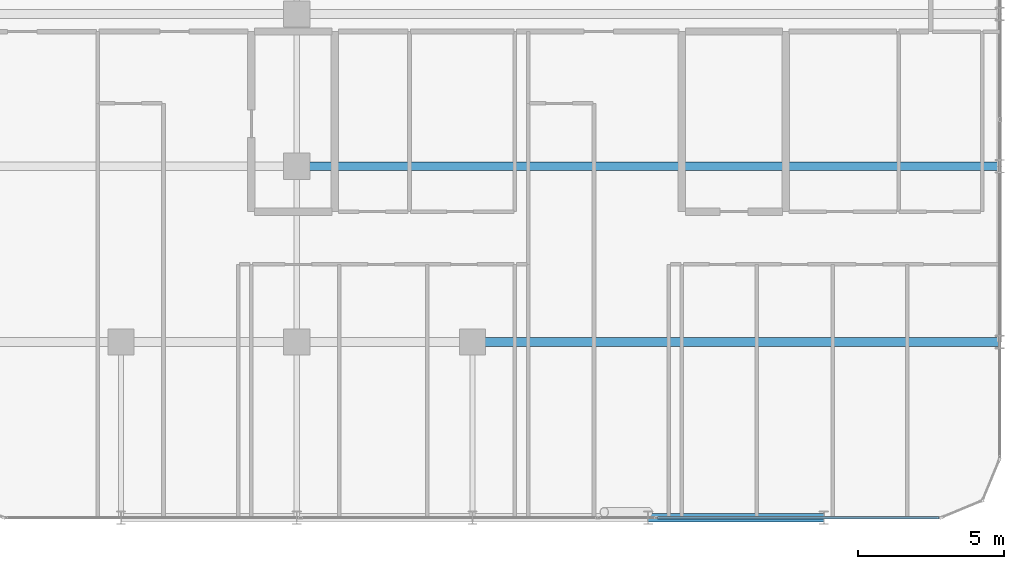
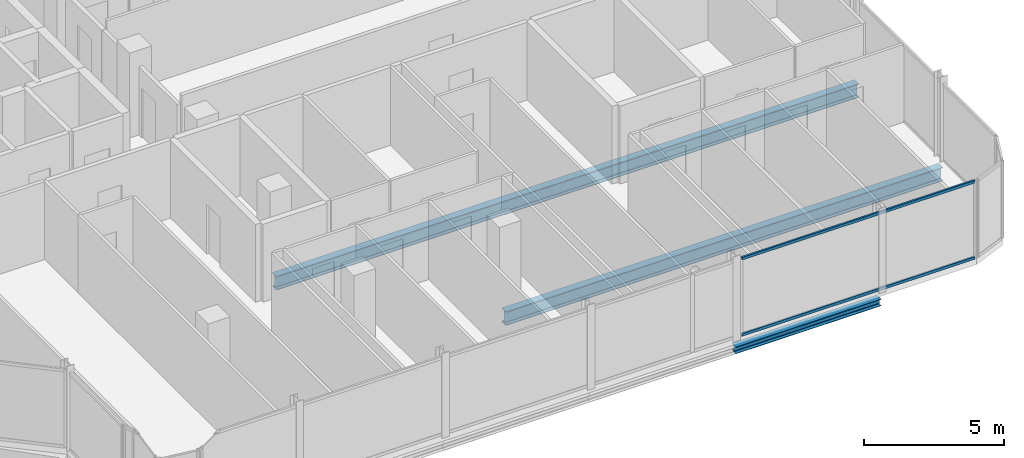
# One storey, part 11 of 29: 3 beams, 2 members, 1 element without a shape of its own.
"""IFC4 building model written with IfcOpenShell, lengths in metres."""

import ifcopenshell
import ifcopenshell.guid

model = None  # the IFC model being written
_history = None  # IfcOwnerHistory: only IFC2X3 demands one
_inside = {}  # id of a spatial element -> (the spatial element, [elements in it])
_under = {}  # id of a project, library or spatial element -> (it, [spatial elements below it])
_declared = {}  # id of a project -> (the project, [libraries it declares])
_typed = {}  # id of a type object -> (the type object, [elements of that type])
_made_of = {}  # id of a material, layer set ... -> (it, [elements and type objects made of it])


def new_model(schema):
    """Start an empty IFC model of exactly this schema.

    Asked for "IFC4X3", IfcOpenShell would pick the latest addendum, in which some entities
    have other attributes; the version numbers below select the first issue.
    IFC2X3 requires an IfcOwnerHistory on every rooted entity: one is made here for all.
    """
    global model, _history
    if schema == "IFC4X3":
        model = ifcopenshell.file(schema_version=(4, 3, 0, 0))
    else:
        model = ifcopenshell.file(schema=schema)
    _inside.clear()
    _under.clear()
    _declared.clear()
    _typed.clear()
    _made_of.clear()
    _history = None
    if model.schema == "IFC2X3":
        org = make("IfcOrganization", Name="unknown")
        user = make(
            "IfcPersonAndOrganization",
            ThePerson=make("IfcPerson", FamilyName="unknown"),
            TheOrganization=org,
        )
        app = make(
            "IfcApplication",
            ApplicationDeveloper=org,
            Version="unknown",
            ApplicationFullName="unknown",
            ApplicationIdentifier="unknown",
        )
        _history = make(
            "IfcOwnerHistory",
            OwningUser=user,
            OwningApplication=app,
            ChangeAction="ADDED",
            CreationDate=0,
        )
    return model


def make(cls, **values):
    """One entity of the class cls with the attributes given. An attribute that is None is left unset."""
    return model.create_entity(
        cls, **{name: value for name, value in values.items() if value is not None}
    )


def rooted(cls, **values):
    """An entity with a GlobalId (a new one), such as an element, a storey or a relation."""
    return make(cls, GlobalId=ifcopenshell.guid.new(), OwnerHistory=_history, **values)


def si_unit(unit_type, name, prefix=None):
    """IfcSIUnit, for example si_unit("LENGTHUNIT", "METRE", prefix="MILLI")."""
    return make("IfcSIUnit", UnitType=unit_type, Prefix=prefix, Name=name)


def assignment(units):
    """IfcUnitAssignment: the units of a project."""
    return None if units is None else make("IfcUnitAssignment", Units=units)


def point(xyz):
    """IfcCartesianPoint."""
    return None if xyz is None else make("IfcCartesianPoint", Coordinates=xyz)


def direction(xyz):
    """IfcDirection."""
    return None if xyz is None else make("IfcDirection", DirectionRatios=xyz)


def frame(location, z_axis=None, x_axis=None):
    """IfcAxis2Placement3D, a coordinate frame: its origin and axes. An axis left out is left unset."""
    return make(
        "IfcAxis2Placement3D",
        Location=point(location),
        Axis=direction(z_axis),
        RefDirection=direction(x_axis),
    )


def frame_2d(location, x_axis=None):
    """IfcAxis2Placement2D, a coordinate frame in the plane: its origin and x axis."""
    return make(
        "IfcAxis2Placement2D", Location=point(location), RefDirection=direction(x_axis)
    )


def origin():
    """The frame at (0, 0, 0) with its axes left unset."""
    return frame((0.0, 0.0, 0.0))


def origin_2d():
    """The frame at (0, 0) in the plane with its x axis left unset."""
    return frame_2d((0.0, 0.0))


def place(relative_to, where):
    """IfcLocalPlacement: puts the frame where relative to a parent placement (None: the world)."""
    return make(
        "IfcLocalPlacement", PlacementRelTo=relative_to, RelativePlacement=where
    )


def context(
    kind, dimensions, precision=None, world=None, true_north=None, identifier=None
):
    """IfcGeometricRepresentationContext, for example the 3D "Model" context."""
    return make(
        "IfcGeometricRepresentationContext",
        ContextIdentifier=identifier,
        ContextType=kind,
        CoordinateSpaceDimension=dimensions,
        Precision=precision,
        WorldCoordinateSystem=world,
        TrueNorth=true_north,
    )


def subcontext(parent, identifier, kind, view, scale=None):
    """IfcGeometricRepresentationSubContext, for example "Body" below "Model"."""
    return make(
        "IfcGeometricRepresentationSubContext",
        ContextIdentifier=identifier,
        ContextType=kind,
        ParentContext=parent,
        TargetScale=scale,
        TargetView=view,
    )


def project(units=None, contexts=None):
    """IfcProject with its units and contexts."""
    return rooted(
        "IfcProject",
        Name="project",
        RepresentationContexts=contexts,
        UnitsInContext=assignment(units),
    )


def spatial(cls, under=None, at=None, **own):
    """A site, building, storey or space (cls), placed at a placement, below another one or the project."""
    s = rooted(cls, ObjectPlacement=at, **own)
    if under is not None:
        _under.setdefault(under.id(), (under, []))[1].append(s)
    return s


def profile(cls, at=None, kind="AREA", **sizes):
    """A parametric profile (cls). Its sizes go by their IFC names, for example OverallWidth=200.0."""
    return make(cls, ProfileType=kind, Position=at, **sizes)


def hollow_rectangle(**sizes):
    """IfcRectangleHollowProfileDef."""
    return profile("IfcRectangleHollowProfileDef", **sizes)


def i_section(**sizes):
    """IfcIShapeProfileDef."""
    return profile("IfcIShapeProfileDef", **sizes)


def extrude(swept, where, along, depth):
    """IfcExtrudedAreaSolid: the profile swept, set in the frame where, extruded along a direction by depth."""
    return make(
        "IfcExtrudedAreaSolid",
        SweptArea=swept,
        Position=where,
        ExtrudedDirection=direction(along),
        Depth=depth,
    )


def shape(context_of_items, identifier, shape_type, items):
    """IfcShapeRepresentation: the items that make up one representation, for example the "Body"."""
    return make(
        "IfcShapeRepresentation",
        ContextOfItems=context_of_items,
        RepresentationIdentifier=identifier,
        RepresentationType=shape_type,
        Items=items,
    )


def material(Name=None, Category=None):
    """IfcMaterial."""
    return make("IfcMaterial", Name=Name, Category=Category)


def layer(
    of_material, thickness, ventilated=None, Name=None, Category=None, Priority=None
):
    """IfcMaterialLayer: one layer of a wall or slab, of a material (None: an air gap)."""
    return make(
        "IfcMaterialLayer",
        Material=of_material,
        LayerThickness=thickness,
        IsVentilated=ventilated,
        Name=Name,
        Category=Category,
        Priority=Priority,
    )


def layer_set(layers, Name=None):
    """IfcMaterialLayerSet."""
    return make("IfcMaterialLayerSet", MaterialLayers=layers, LayerSetName=Name)


def material_profile(
    of_material, cross_section, Name=None, Category=None, Priority=None
):
    """IfcMaterialProfile: a cross section and its material."""
    return make(
        "IfcMaterialProfile",
        Name=Name,
        Material=of_material,
        Profile=cross_section,
        Priority=Priority,
        Category=Category,
    )


def profile_set(profiles, Name=None, composite=None):
    """IfcMaterialProfileSet."""
    return make(
        "IfcMaterialProfileSet",
        Name=Name,
        MaterialProfiles=profiles,
        CompositeProfile=composite,
    )


def made_of(thing, what):
    """Note that an element or type object is made of a material, layer set ...; save() writes the relation."""
    if what is not None:
        _made_of.setdefault(what.id(), (what, []))[1].append(thing)
    return thing


def type_object(cls, material=None, **own):
    """A type object (cls), such as IfcWallType, which elements share."""
    return made_of(rooted(cls, **own), material)


def element(
    cls,
    number,
    at=None,
    inside=None,
    cuts=None,
    type_object=None,
    material=None,
    context=None,
    identifier="Body",
    shape_type=None,
    held_by="IfcProductDefinitionShape",
    body=None,
    shapes=None,
    **own,
):
    """One element of the class cls, such as IfcWall. Its Tag is "e" and its number.

    at: its placement. inside: the storey or other place that contains it. cuts: it is an
    opening in that element (IfcRelVoidsElement). A single representation is given by context,
    identifier, shape_type and body (its items); several are given by shapes. held_by: the class
    of the entity that holds the representations. save() writes the other relations.
    """
    e = rooted(cls, Tag="e%d" % number, ObjectPlacement=at, **own)
    if body is not None:
        shapes = [shape(context, identifier, shape_type, body)]
    if shapes is not None:
        e.Representation = make(held_by, Representations=shapes)
    if inside is not None:
        _inside.setdefault(inside.id(), (inside, []))[1].append(e)
    if cuts is not None:
        rooted(
            "IfcRelVoidsElement", RelatingBuildingElement=cuts, RelatedOpeningElement=e
        )
    if type_object is not None:
        _typed.setdefault(type_object.id(), (type_object, []))[1].append(e)
    return made_of(e, material)


def aggregate(whole, parts):
    """IfcRelAggregates: a whole, such as a stair, and the parts it consists of."""
    return rooted("IfcRelAggregates", RelatingObject=whole, RelatedObjects=parts)


def save(model, path):
    """Write the relations noted so far, then the file.

    IfcRelAggregates (storeys below a building ...), IfcRelContainedInSpatialStructure (elements
    in a storey), IfcRelDefinesByType, IfcRelAssociatesMaterial and IfcRelDeclares: one each for
    every whole, place, type object, material and project.
    """
    for whole, parts in _under.values():
        aggregate(whole, parts)
    for where, things in _inside.values():
        rooted(
            "IfcRelContainedInSpatialStructure",
            RelatedElements=things,
            RelatingStructure=where,
        )
    for kind, things in _typed.values():
        rooted("IfcRelDefinesByType", RelatedObjects=things, RelatingType=kind)
    for what, things in _made_of.values():
        rooted("IfcRelAssociatesMaterial", RelatedObjects=things, RelatingMaterial=what)
    for by, libraries in _declared.values():
        rooted("IfcRelDeclares", RelatingContext=by, RelatedDefinitions=libraries)
    model.write(path)


model = new_model("IFC4")

# Units and contexts
model_context = context("Model", 3, precision=1e-05, world=origin(), true_north=direction((0.0, 1.0)))
body_context = subcontext(model_context, "Body", "Model", "MODEL_VIEW")
ifc_project = project(units=[si_unit("LENGTHUNIT", "METRE"), si_unit("AREAUNIT", "SQUARE_METRE"), si_unit("VOLUMEUNIT", "CUBIC_METRE"), si_unit("PLANEANGLEUNIT", "RADIAN"), si_unit("MASSUNIT", "GRAM", prefix="KILO")], contexts=[model_context])

# Site, building, storey
site_placement = place(None, origin())
site = spatial("IfcSite", under=ifc_project, at=site_placement, CompositionType="ELEMENT")
building_placement = place(site_placement, origin())
building = spatial("IfcBuilding", under=site, at=building_placement, Name="Keshet Zoharim Tower", CompositionType="ELEMENT")
storey_placement = place(building_placement, frame((0.0, 0.0, 192.10009765625)))
storey = spatial("IfcBuildingStorey", under=building, at=storey_placement, Name="L47", CompositionType="ELEMENT", Elevation=192.10009765625)

# Beams
ifc_material_1 = material(Name="Steel S355", Category="steel")
ifc_material_profile_1 = material_profile(ifc_material_1, i_section(OverallWidth=0.300048828125, OverallDepth=0.60009765625, WebThickness=0.015380859375, FlangeThickness=0.030029296875, FilletRadius=0.027099609375, at=origin_2d()), Name="HEB600")
ifc_profile_set_1 = profile_set([ifc_material_profile_1], Name="Steel S355")
beam_type_1 = type_object("IfcBeamType", Name="BM-LNG-HB600", PredefinedType="BEAM", material=ifc_profile_set_1)
beam_1_placement = place(storey_placement, frame((39.0, 6.699951171875, -0.610107421875), z_axis=(1.0, 0.0, 0.0), x_axis=(0.0, 1.0, 0.0)))
element("IfcBeam", 1, at=beam_1_placement, inside=storey, type_object=beam_type_1, Name="L47 Primary Girder X-008", PredefinedType="BEAM", context=body_context, shape_type="SweptSolid", body=[
    extrude(i_section(OverallWidth=0.300048828125, OverallDepth=0.60009765625, WebThickness=0.015380859375, FlangeThickness=0.030029296875, FilletRadius=0.027099609375, at=origin_2d()), origin(), (0.0, 0.0, 1.0), 18.0),
])
beam_2_placement = place(storey_placement, frame((33.0, 12.699951171875, -0.610107421875), z_axis=(1.0, 0.0, 0.0), x_axis=(0.0, 1.0, 0.0)))
element("IfcBeam", 2, at=beam_2_placement, inside=storey, type_object=beam_type_1, Name="L47 Primary Girder X-010", PredefinedType="BEAM", context=body_context, shape_type="SweptSolid", body=[
    extrude(i_section(OverallWidth=0.300048828125, OverallDepth=0.60009765625, WebThickness=0.015380859375, FlangeThickness=0.030029296875, FilletRadius=0.027099609375, at=origin_2d()), origin(), (0.0, 0.0, 1.0), 24.0),
])
ifc_material_profile_2 = material_profile(ifc_material_1, i_section(OverallWidth=0.300048828125, OverallDepth=0.300048828125, WebThickness=0.010986328125, FlangeThickness=0.01904296875, FilletRadius=0.027099609375, at=origin_2d()), Name="HEB300")
ifc_profile_set_2 = profile_set([ifc_material_profile_2], Name="Steel S355")
beam_type_2 = type_object("IfcBeamType", Name="BM-PRI-HB300", PredefinedType="BEAM", material=ifc_profile_set_2)
beam_3_placement = place(storey_placement, frame((45.0, 0.699951171875, -0.460205078125), z_axis=(1.0, 0.0, 0.0), x_axis=(0.0, 1.0, 0.0)))
element("IfcBeam", 3, at=beam_3_placement, inside=storey, type_object=beam_type_2, Name="L47 Primary Girder X-004", PredefinedType="BEAM", context=body_context, shape_type="SweptSolid", body=[
    extrude(i_section(OverallWidth=0.300048828125, OverallDepth=0.300048828125, WebThickness=0.010986328125, FlangeThickness=0.01904296875, FilletRadius=0.027099609375, at=origin_2d()), origin(), (0.0, 0.0, 1.0), 6.0),
])

# Curtain wall, members
ifc_material_2 = material(Name="Aluminium 6063-T6", Category="aluminium")
ifc_layer = layer(ifc_material_2, 0.139892578125)
ifc_layer_set = layer_set([ifc_layer], Name="Aluminium 6063-T6")
curtain_wall_type = type_object("IfcCurtainWallType", Name="CW-SYS-05", PredefinedType="NOTDEFINED", material=ifc_layer_set)
curtain_wall_placement = place(storey_placement, origin())
curtain_wall = element("IfcCurtainWall", 4, at=curtain_wall_placement, inside=storey, type_object=curtain_wall_type, Name="L47 Unitised Curtain Wall 06", PredefinedType="NOTDEFINED")
ifc_material_profile_3 = material_profile(ifc_material_2, hollow_rectangle(XDim=0.074951171875, YDim=0.1201171875, WallThickness=0.00390625, at=origin_2d()), Name="TRN-75x120")
ifc_profile_set_3 = profile_set([ifc_material_profile_3], Name="Aluminium 6063-T6")
member_type = type_object("IfcMemberType", Name="CWT-T12", PredefinedType="USERDEFINED", material=ifc_profile_set_3)
member_1_placement = place(storey_placement, frame((54.929931640625, 0.699951171875, 0.034912109375), z_axis=(-1.0, 0.0, 0.0), x_axis=(0.0, -1.0, 0.0)))
member_1 = element("IfcMember", 5, at=member_1_placement, type_object=member_type, Name="CW-05 transom 1.1", ObjectType="TRANSOM", PredefinedType="USERDEFINED", context=body_context, shape_type="SweptSolid", body=[
    extrude(hollow_rectangle(XDim=0.074951171875, YDim=0.1201171875, WallThickness=0.00390625, at=origin_2d()), origin(), (0.0, 0.0, 1.0), 9.61181640625),
])
member_2_placement = place(storey_placement, frame((54.929931640625, 0.699951171875, 3.35498046875), z_axis=(-1.0, 0.0, 0.0), x_axis=(0.0, -1.0, 0.0)))
member_2 = element("IfcMember", 6, at=member_2_placement, type_object=member_type, Name="CW-05 transom 1.2", ObjectType="TRANSOM", PredefinedType="USERDEFINED", context=body_context, shape_type="SweptSolid", body=[
    extrude(hollow_rectangle(XDim=0.074951171875, YDim=0.1201171875, WallThickness=0.00390625, at=origin_2d()), origin(), (0.0, 0.0, 1.0), 9.61181640625),
])
aggregate(curtain_wall, [member_1, member_2])

save(model, "model.ifc")
